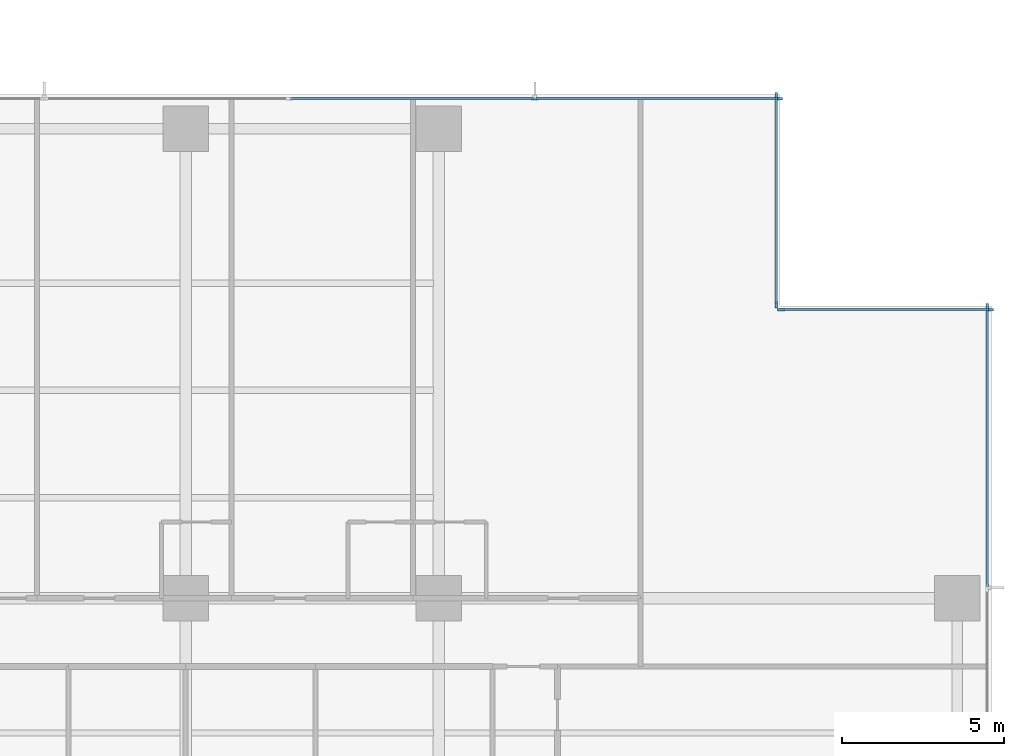
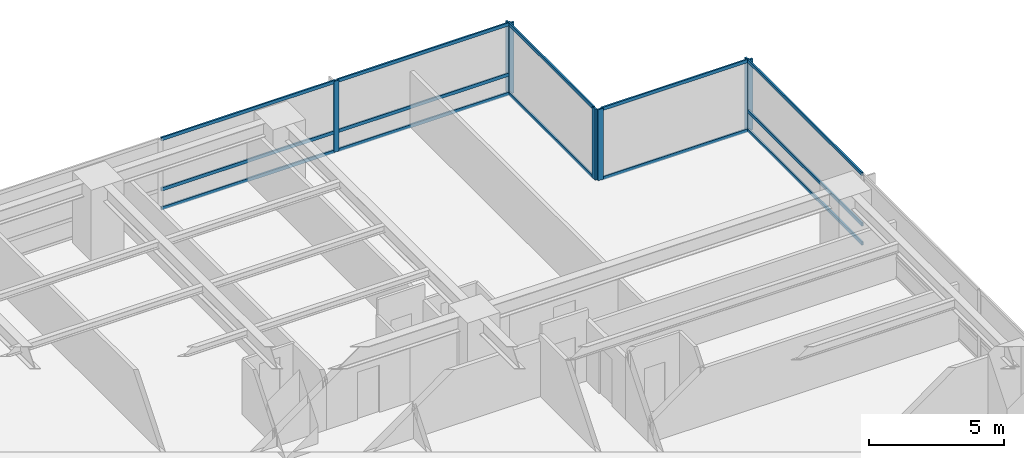
# One storey, part 5 of 16: 20 members, 4 elements without a shape of their own.
"""IFC4 building model written with IfcOpenShell, lengths in metres."""

from ifc_helpers import new_model, si_unit, direction, frame, origin, origin_2d, place, context, subcontext, project, spatial, rectangle, extrude, material, layer, layer_set, material_profile, profile_set, type_object, element, aggregate, save


model = new_model("IFC4")

# Units and contexts
model_context = context("Model", 3, precision=1e-05, world=origin(), true_north=direction((0.0, 1.0)))
body_context = subcontext(model_context, "Body", "Model", "MODEL_VIEW")
ifc_project = project(units=[si_unit("LENGTHUNIT", "METRE"), si_unit("AREAUNIT", "SQUARE_METRE"), si_unit("VOLUMEUNIT", "CUBIC_METRE"), si_unit("PLANEANGLEUNIT", "RADIAN"), si_unit("MASSUNIT", "GRAM", prefix="KILO")], contexts=[model_context])

# Site, building, storey
site_placement = place(None, origin())
site = spatial("IfcSite", under=ifc_project, at=site_placement, CompositionType="ELEMENT")
building_placement = place(site_placement, origin())
building = spatial("IfcBuilding", under=site, at=building_placement, Name="Qalmaran Belvedere Hotel", CompositionType="ELEMENT")
storey_placement = place(building_placement, frame((0.0, 0.0, 57.89990234375)))
storey = spatial("IfcBuildingStorey", under=building, at=storey_placement, Name="L14", CompositionType="ELEMENT", Elevation=57.89990234375)

# Curtain wall, member
ifc_material = material(Name="Anodised Bronze Aluminium", Category="aluminium")
ifc_layer = layer(ifc_material, 0.2099609375, Name="Anodised Bronze Aluminium")
ifc_layer_set = layer_set([ifc_layer], Name="Anodised Bronze Aluminium")
curtain_wall_type = type_object("IfcCurtainWallType", Name="CW2-TOWER-LOWER", PredefinedType="NOTDEFINED", material=ifc_layer_set)
curtain_wall_1_placement = place(storey_placement, origin())
curtain_wall_1 = element("IfcCurtainWall", 1, at=curtain_wall_1_placement, inside=storey, type_object=curtain_wall_type, Name="L14 Curtain Wall CW2", PredefinedType="NOTDEFINED")
ifc_material_profile_1 = material_profile(ifc_material, rectangle(XDim=0.074951171875, YDim=0.219970703125, at=origin_2d()), Name="CWM75X220")
ifc_profile_set_1 = profile_set([ifc_material_profile_1], Name="Anodised Bronze Aluminium")
member_type_1 = type_object("IfcMemberType", Name="CWM-75X220", PredefinedType="MULLION", material=ifc_profile_set_1)
member_1_placement = place(storey_placement, frame((61.679931640625, 41.96240234375, 0.0), z_axis=(0.0, 0.0, 1.0), x_axis=(-1.0, 0.0, 0.0)))
member_1 = element("IfcMember", 2, at=member_1_placement, type_object=member_type_1, Name="CW2 mullion 5", PredefinedType="MULLION", context=body_context, shape_type="SweptSolid", body=[
    extrude(rectangle(XDim=0.074951171875, YDim=0.219970703125, at=origin_2d()), origin(), (0.0, 0.0, 1.0), 3.22021484375),
])

# Curtain wall, members
curtain_wall_2_placement = place(storey_placement, origin())
curtain_wall_2 = element("IfcCurtainWall", 3, at=curtain_wall_2_placement, inside=storey, type_object=curtain_wall_type, Name="L14 Curtain Wall CW2", PredefinedType="NOTDEFINED")
member_2_placement = place(storey_placement, frame((61.762451171875, 41.8798828125, 0.0), z_axis=(0.0, 0.0, 1.0), x_axis=(0.0, -1.0, 0.0)))
member_2 = element("IfcMember", 4, at=member_2_placement, type_object=member_type_1, Name="CW2 mullion 1", PredefinedType="MULLION", context=body_context, shape_type="SweptSolid", body=[
    extrude(rectangle(XDim=0.074951171875, YDim=0.219970703125, at=origin_2d()), origin(), (0.0, 0.0, 1.0), 3.22021484375),
])
member_3_placement = place(storey_placement, frame((55.33740234375, 41.8798828125, 0.0), z_axis=(0.0, 0.0, 1.0), x_axis=(0.0, -1.0, 0.0)))
member_3 = element("IfcMember", 5, at=member_3_placement, type_object=member_type_1, Name="CW2 mullion 2", PredefinedType="MULLION", context=body_context, shape_type="SweptSolid", body=[
    extrude(rectangle(XDim=0.074951171875, YDim=0.219970703125, at=origin_2d()), origin(), (0.0, 0.0, 1.0), 3.22021484375),
])

curtain_wall_3_placement = place(storey_placement, origin())
curtain_wall_3 = element("IfcCurtainWall", 6, at=curtain_wall_3_placement, inside=storey, type_object=curtain_wall_type, Name="L14 Curtain Wall CW2", PredefinedType="NOTDEFINED")
member_4_placement = place(storey_placement, frame((55.179931640625, 42.03759765625, 0.0), z_axis=(0.0, 0.0, 1.0), x_axis=(-1.0, 0.0, 0.0)))
member_4 = element("IfcMember", 7, at=member_4_placement, type_object=member_type_1, Name="CW2 mullion 1", PredefinedType="MULLION", context=body_context, shape_type="SweptSolid", body=[
    extrude(rectangle(XDim=0.074951171875, YDim=0.219970703125, at=origin_2d()), origin(), (0.0, 0.0, 1.0), 3.22021484375),
])
member_5_placement = place(storey_placement, frame((55.179931640625, 48.46240234375, 0.0), z_axis=(0.0, 0.0, 1.0), x_axis=(-1.0, 0.0, 0.0)))
member_5 = element("IfcMember", 8, at=member_5_placement, type_object=member_type_1, Name="CW2 mullion 2", PredefinedType="MULLION", context=body_context, shape_type="SweptSolid", body=[
    extrude(rectangle(XDim=0.074951171875, YDim=0.219970703125, at=origin_2d()), origin(), (0.0, 0.0, 1.0), 3.22021484375),
])

curtain_wall_4_placement = place(storey_placement, origin())
curtain_wall_4 = element("IfcCurtainWall", 9, at=curtain_wall_4_placement, inside=storey, type_object=curtain_wall_type, Name="L14 Curtain Wall CW2", PredefinedType="NOTDEFINED")
member_6_placement = place(storey_placement, frame((55.262451171875, 48.3798828125, 0.0), z_axis=(0.0, 0.0, 1.0), x_axis=(0.0, -1.0, 0.0)))
member_6 = element("IfcMember", 10, at=member_6_placement, type_object=member_type_1, Name="CW2 mullion 1", PredefinedType="MULLION", context=body_context, shape_type="SweptSolid", body=[
    extrude(rectangle(XDim=0.074951171875, YDim=0.219970703125, at=origin_2d()), origin(), (0.0, 0.0, 1.0), 3.22021484375),
])
member_7_placement = place(storey_placement, frame((47.75, 48.3798828125, 0.0), z_axis=(0.0, 0.0, 1.0), x_axis=(0.0, -1.0, 0.0)))
member_7 = element("IfcMember", 11, at=member_7_placement, type_object=member_type_1, Name="CW2 mullion 2", PredefinedType="MULLION", context=body_context, shape_type="SweptSolid", body=[
    extrude(rectangle(XDim=0.074951171875, YDim=0.219970703125, at=origin_2d()), origin(), (0.0, 0.0, 1.0), 3.22021484375),
])

# Member
ifc_material_profile_2 = material_profile(ifc_material, rectangle(XDim=0.070068359375, YDim=0.14990234375, at=origin_2d()), Name="CWT70X150")
ifc_profile_set_2 = profile_set([ifc_material_profile_2], Name="Anodised Bronze Aluminium")
member_type_2 = type_object("IfcMemberType", Name="CWT-70X150", PredefinedType="USERDEFINED", material=ifc_profile_set_2)
member_8_placement = place(storey_placement, frame((61.679931640625, 33.362548828125, 0.03515625), z_axis=(0.0, 1.0, 0.0), x_axis=(-1.0, 0.0, 0.0)))
member_8 = element("IfcMember", 12, at=member_8_placement, type_object=member_type_2, Name="CW2 transom 4.1", ObjectType="TRANSOM", PredefinedType="USERDEFINED", context=body_context, shape_type="SweptSolid", body=[
    extrude(rectangle(XDim=0.070068359375, YDim=0.14990234375, at=origin_2d()), origin(), (0.0, 0.0, 1.0), 8.5625),
])

member_9_placement = place(storey_placement, frame((61.679931640625, 33.362548828125, 0.901611328125), z_axis=(0.0, 1.0, 0.0), x_axis=(-1.0, 0.0, 0.0)))
member_9 = element("IfcMember", 13, at=member_9_placement, type_object=member_type_2, Name="CW2 transom 4.2", ObjectType="TRANSOM", PredefinedType="USERDEFINED", context=body_context, shape_type="SweptSolid", body=[
    extrude(rectangle(XDim=0.070068359375, YDim=0.14990234375, at=origin_2d()), origin(), (0.0, 0.0, 1.0), 8.5625),
])

member_10_placement = place(storey_placement, frame((61.679931640625, 33.362548828125, 3.18505859375), z_axis=(0.0, 1.0, 0.0), x_axis=(-1.0, 0.0, 0.0)))
member_10 = element("IfcMember", 14, at=member_10_placement, type_object=member_type_2, Name="CW2 transom 4.3", ObjectType="TRANSOM", PredefinedType="USERDEFINED", context=body_context, shape_type="SweptSolid", body=[
    extrude(rectangle(XDim=0.070068359375, YDim=0.14990234375, at=origin_2d()), origin(), (0.0, 0.0, 1.0), 8.5625),
])

aggregate(curtain_wall_1, [member_1, member_8, member_9, member_10])

member_11_placement = place(storey_placement, frame((61.72509765625, 41.8798828125, 0.03515625), z_axis=(-1.0, 0.0, 0.0), x_axis=(0.0, -1.0, 0.0)))
member_11 = element("IfcMember", 15, at=member_11_placement, type_object=member_type_2, Name="CW2 transom 1.1", ObjectType="TRANSOM", PredefinedType="USERDEFINED", context=body_context, shape_type="SweptSolid", body=[
    extrude(rectangle(XDim=0.070068359375, YDim=0.14990234375, at=origin_2d()), origin(), (0.0, 0.0, 1.0), 6.35009765625),
])

member_12_placement = place(storey_placement, frame((61.72509765625, 41.8798828125, 3.18505859375), z_axis=(-1.0, 0.0, 0.0), x_axis=(0.0, -1.0, 0.0)))
member_12 = element("IfcMember", 16, at=member_12_placement, type_object=member_type_2, Name="CW2 transom 1.2", ObjectType="TRANSOM", PredefinedType="USERDEFINED", context=body_context, shape_type="SweptSolid", body=[
    extrude(rectangle(XDim=0.070068359375, YDim=0.14990234375, at=origin_2d()), origin(), (0.0, 0.0, 1.0), 6.35009765625),
])

aggregate(curtain_wall_2, [member_2, member_3, member_11, member_12])

member_13_placement = place(storey_placement, frame((55.179931640625, 42.074951171875, 0.03515625), z_axis=(0.0, 1.0, 0.0), x_axis=(-1.0, 0.0, 0.0)))
member_13 = element("IfcMember", 17, at=member_13_placement, type_object=member_type_2, Name="CW2 transom 1.1", ObjectType="TRANSOM", PredefinedType="USERDEFINED", context=body_context, shape_type="SweptSolid", body=[
    extrude(rectangle(XDim=0.070068359375, YDim=0.14990234375, at=origin_2d()), origin(), (0.0, 0.0, 1.0), 6.35009765625),
])

member_14_placement = place(storey_placement, frame((55.179931640625, 42.074951171875, 3.18505859375), z_axis=(0.0, 1.0, 0.0), x_axis=(-1.0, 0.0, 0.0)))
member_14 = element("IfcMember", 18, at=member_14_placement, type_object=member_type_2, Name="CW2 transom 1.2", ObjectType="TRANSOM", PredefinedType="USERDEFINED", context=body_context, shape_type="SweptSolid", body=[
    extrude(rectangle(XDim=0.070068359375, YDim=0.14990234375, at=origin_2d()), origin(), (0.0, 0.0, 1.0), 6.35009765625),
])

aggregate(curtain_wall_3, [member_4, member_5, member_13, member_14])

member_15_placement = place(storey_placement, frame((55.22509765625, 48.3798828125, 0.03515625), z_axis=(-1.0, 0.0, 0.0), x_axis=(0.0, -1.0, 0.0)))
member_15 = element("IfcMember", 19, at=member_15_placement, type_object=member_type_2, Name="CW2 transom 1.1", ObjectType="TRANSOM", PredefinedType="USERDEFINED", context=body_context, shape_type="SweptSolid", body=[
    extrude(rectangle(XDim=0.070068359375, YDim=0.14990234375, at=origin_2d()), origin(), (0.0, 0.0, 1.0), 7.4375),
])

member_16_placement = place(storey_placement, frame((55.22509765625, 48.3798828125, 0.901611328125), z_axis=(-1.0, 0.0, 0.0), x_axis=(0.0, -1.0, 0.0)))
member_16 = element("IfcMember", 20, at=member_16_placement, type_object=member_type_2, Name="CW2 transom 1.2", ObjectType="TRANSOM", PredefinedType="USERDEFINED", context=body_context, shape_type="SweptSolid", body=[
    extrude(rectangle(XDim=0.070068359375, YDim=0.14990234375, at=origin_2d()), origin(), (0.0, 0.0, 1.0), 7.4375),
])

member_17_placement = place(storey_placement, frame((55.22509765625, 48.3798828125, 3.18505859375), z_axis=(-1.0, 0.0, 0.0), x_axis=(0.0, -1.0, 0.0)))
member_17 = element("IfcMember", 21, at=member_17_placement, type_object=member_type_2, Name="CW2 transom 1.3", ObjectType="TRANSOM", PredefinedType="USERDEFINED", context=body_context, shape_type="SweptSolid", body=[
    extrude(rectangle(XDim=0.070068359375, YDim=0.14990234375, at=origin_2d()), origin(), (0.0, 0.0, 1.0), 7.4375),
])

member_18_placement = place(storey_placement, frame((47.71240234375, 48.3798828125, 0.03515625), z_axis=(-1.0, 0.0, 0.0), x_axis=(0.0, -1.0, 0.0)))
member_18 = element("IfcMember", 22, at=member_18_placement, type_object=member_type_2, Name="CW2 transom 2.1", ObjectType="TRANSOM", PredefinedType="USERDEFINED", context=body_context, shape_type="SweptSolid", body=[
    extrude(rectangle(XDim=0.070068359375, YDim=0.14990234375, at=origin_2d()), origin(), (0.0, 0.0, 1.0), 7.474853515625),
])

member_19_placement = place(storey_placement, frame((47.71240234375, 48.3798828125, 0.901611328125), z_axis=(-1.0, 0.0, 0.0), x_axis=(0.0, -1.0, 0.0)))
member_19 = element("IfcMember", 23, at=member_19_placement, type_object=member_type_2, Name="CW2 transom 2.2", ObjectType="TRANSOM", PredefinedType="USERDEFINED", context=body_context, shape_type="SweptSolid", body=[
    extrude(rectangle(XDim=0.070068359375, YDim=0.14990234375, at=origin_2d()), origin(), (0.0, 0.0, 1.0), 7.474853515625),
])

member_20_placement = place(storey_placement, frame((47.71240234375, 48.3798828125, 3.18505859375), z_axis=(-1.0, 0.0, 0.0), x_axis=(0.0, -1.0, 0.0)))
member_20 = element("IfcMember", 24, at=member_20_placement, type_object=member_type_2, Name="CW2 transom 2.3", ObjectType="TRANSOM", PredefinedType="USERDEFINED", context=body_context, shape_type="SweptSolid", body=[
    extrude(rectangle(XDim=0.070068359375, YDim=0.14990234375, at=origin_2d()), origin(), (0.0, 0.0, 1.0), 7.474853515625),
])

aggregate(curtain_wall_4, [member_6, member_7, member_15, member_16, member_17, member_18, member_19, member_20])

save(model, "model.ifc")
